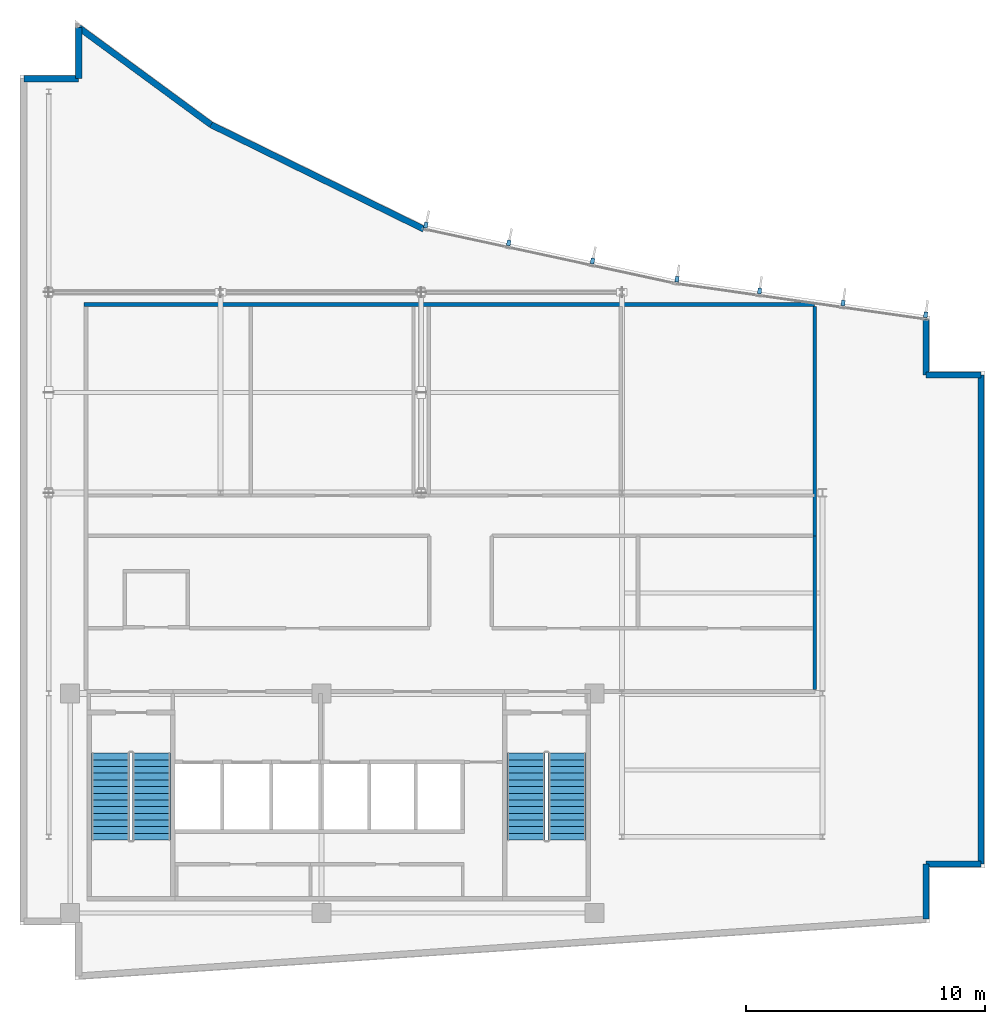
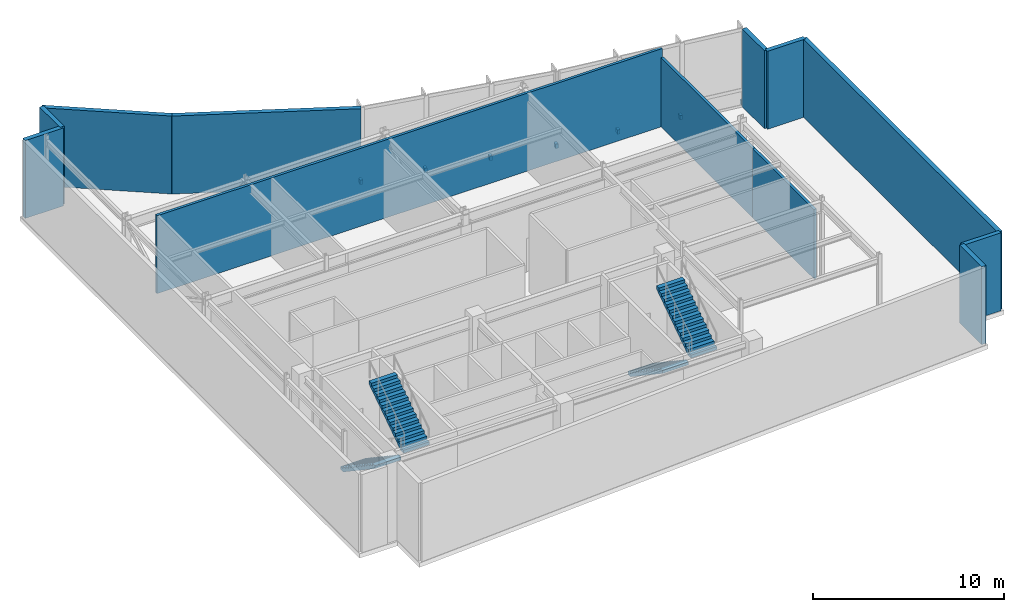
# One storey, part 11 of 14: 12 walls, 7 discrete accessories, 4 stair flights, 2 elements without a shape of their own.
"""IFC4 building model written with IfcOpenShell, lengths in metres."""

from ifc_helpers import new_model, si_unit, direction, frame, frame_2d, origin, origin_2d, place, context, subcontext, project, spatial, polyline, rectangle, outline, extrude, material, layer, layer_set, type_object, element, aggregate, save


model = new_model("IFC4")

# Units and contexts
model_context = context("Model", 3, precision=1e-05, world=origin(), true_north=direction((0.0, 1.0)))
body_context = subcontext(model_context, "Body", "Model", "MODEL_VIEW")
ifc_project = project(units=[si_unit("LENGTHUNIT", "METRE"), si_unit("AREAUNIT", "SQUARE_METRE"), si_unit("VOLUMEUNIT", "CUBIC_METRE"), si_unit("PLANEANGLEUNIT", "RADIAN"), si_unit("MASSUNIT", "GRAM", prefix="KILO")], contexts=[model_context])

# Site, building, storey
site_placement = place(None, origin())
site = spatial("IfcSite", under=ifc_project, at=site_placement, CompositionType="ELEMENT")
building_placement = place(site_placement, origin())
building = spatial("IfcBuilding", under=site, at=building_placement, Name="Varnakote Quay Hospital", CompositionType="ELEMENT")
storey_placement = place(building_placement, frame((0.0, 0.0, 303.949951171875)))
storey = spatial("IfcBuildingStorey", under=building, at=storey_placement, Name="L75", CompositionType="ELEMENT", Elevation=303.949951171875)

# Walls
ifc_material_1 = material(Name="Fire-rated acoustic gypsum stud wall", Category="gypsum")
ifc_layer_1 = layer(ifc_material_1, 0.159912109375)
ifc_layer_set_1 = layer_set([ifc_layer_1], Name="Fire-rated acoustic gypsum stud wall")
wall_type_1 = type_object("IfcWallType", Name="WL-COMP-160", PredefinedType="PARTITIONING", material=ifc_layer_set_1)
wall_1_placement = place(storey_placement, frame((2.68994140625, 28.280029296875, 0.0), z_axis=(0.0, 0.0, 1.0), x_axis=(1.0, 0.0, 0.0)))
element("IfcWall", 1, at=wall_1_placement, inside=storey, type_object=wall_type_1, Name="L75 Plant Block North Enclosure Wall", PredefinedType="PARTITIONING", context=body_context, shape_type="SweptSolid", body=[
    extrude(rectangle(XDim=30.590087890625, YDim=0.159912109375, at=frame_2d((15.294921875, 0.0))), origin(), (0.0, 0.0, 1.0), 4.989990234375),
])
wall_2_placement = place(storey_placement, frame((33.280029296875, 18.60009765625, 0.0), z_axis=(0.0, 0.0, 1.0), x_axis=(0.0, 1.0, 0.0)))
element("IfcWall", 2, at=wall_2_placement, inside=storey, type_object=wall_type_1, Name="L75 Plant Block East Enclosure Wall", PredefinedType="PARTITIONING", context=body_context, shape_type="SweptSolid", body=[
    extrude(rectangle(XDim=9.599853515625, YDim=0.159912109375, at=frame_2d((4.7998046875, 0.0))), origin(), (0.0, 0.0, 1.0), 4.43701171875),
])
wall_3_placement = place(storey_placement, frame((33.280029296875, 12.159912109375, 0.0), z_axis=(0.0, 0.0, 1.0), x_axis=(0.0, 1.0, 0.0)))
element("IfcWall", 3, at=wall_3_placement, inside=storey, type_object=wall_type_1, Name="L75 Refuge & Plant East End Wall", PredefinedType="PARTITIONING", context=body_context, shape_type="SweptSolid", body=[
    extrude(rectangle(XDim=6.440185546875, YDim=0.159912109375, at=frame_2d((3.22021484375, 0.0))), origin(), (0.0, 0.0, 1.0), 4.43701171875),
])
ifc_material_2 = material(Name="Precast concrete N50 (f'c 50 MPa)", Category="concrete")
ifc_layer_2 = layer(ifc_material_2, 0.260009765625)
ifc_layer_set_2 = layer_set([ifc_layer_2], Name="Precast concrete N50 (f'c 50 MPa)")
wall_type_2 = type_object("IfcWallType", Name="WL-EXT-BRICK-260", PredefinedType="STANDARD", material=ifc_layer_set_2)
wall_4_placement = place(storey_placement, frame((37.93994140625, 2.549560546875, 0.0), z_axis=(0.0, 0.0, 1.0), x_axis=(0.0, 1.0, 0.0)))
element("IfcWall", 4, at=wall_4_placement, inside=storey, type_object=wall_type_2, Name="L75 Brick-Faced Precast Exterior Wall", PredefinedType="STANDARD", context=body_context, shape_type="SweptSolid", body=[
    extrude(rectangle(XDim=2.310546875, YDim=0.260009765625, at=frame_2d((1.1552734375, 0.0))), origin(), (0.0, 0.0, 1.0), 4.989990234375),
])
wall_5_placement = place(storey_placement, frame((37.93994140625, 4.860107421875, 0.0), z_axis=(0.0, 0.0, 1.0), x_axis=(1.0, 0.0, 0.0)))
element("IfcWall", 5, at=wall_5_placement, inside=storey, type_object=wall_type_2, Name="L75 Brick-Faced Precast Exterior Wall", PredefinedType="STANDARD", context=body_context, shape_type="SweptSolid", body=[
    extrude(rectangle(XDim=2.300048828125, YDim=0.260009765625, at=frame_2d((1.14990234375, 0.0))), origin(), (0.0, 0.0, 1.0), 4.989990234375),
])
wall_6_placement = place(storey_placement, frame((40.239990234375, 4.860107421875, 0.0), z_axis=(0.0, 0.0, 1.0), x_axis=(0.0, 1.0, 0.0)))
element("IfcWall", 6, at=wall_6_placement, inside=storey, type_object=wall_type_2, Name="L75 Brick-Faced Precast Exterior Wall", PredefinedType="STANDARD", context=body_context, shape_type="SweptSolid", body=[
    extrude(rectangle(XDim=20.47998046875, YDim=0.260009765625, at=frame_2d((10.239990234375, 0.0))), origin(), (0.0, 0.0, 1.0), 4.989990234375),
])
wall_7_placement = place(storey_placement, frame((40.239990234375, 25.340087890625, 0.0), z_axis=(0.0, 0.0, 1.0), x_axis=(-1.0, 0.0, 0.0)))
element("IfcWall", 7, at=wall_7_placement, inside=storey, type_object=wall_type_2, Name="L75 Brick-Faced Precast Exterior Wall", PredefinedType="STANDARD", context=body_context, shape_type="SweptSolid", body=[
    extrude(rectangle(XDim=2.300048828125, YDim=0.260009765625, at=frame_2d((1.14990234375, 0.0))), origin(), (0.0, 0.0, 1.0), 4.989990234375),
])
wall_8_placement = place(storey_placement, frame((37.93994140625, 25.340087890625, 0.0), z_axis=(0.0, 0.0, 1.0), x_axis=(0.0, 1.0, 0.0)))
element("IfcWall", 8, at=wall_8_placement, inside=storey, type_object=wall_type_2, Name="L75 Brick-Faced Precast Exterior Wall", PredefinedType="STANDARD", context=body_context, shape_type="SweptSolid", body=[
    extrude(rectangle(XDim=2.3212890625, YDim=0.260009765625, at=frame_2d((1.16064453125, 0.0))), origin(), (0.0, 0.0, 1.0), 4.989990234375),
])
wall_9_placement = place(storey_placement, frame((16.9150390625, 31.439697265625, 0.0), z_axis=(0.0, 0.0, 1.0), x_axis=(-0.897793077248, 0.440417518322, 0.0)))
element("IfcWall", 9, at=wall_9_placement, inside=storey, type_object=wall_type_2, Name="L75 Brick-Faced Precast Exterior Wall", PredefinedType="STANDARD", context=body_context, shape_type="SweptSolid", body=[
    extrude(rectangle(XDim=9.933837890625, YDim=0.260009765625, at=frame_2d((4.966796875, 0.0))), origin(), (0.0, 0.0, 1.0), 4.989990234375),
])
wall_10_placement = place(storey_placement, frame((7.99658203125, 35.814697265625, 0.0), z_axis=(0.0, 0.0, 1.0), x_axis=(-0.805786654178, 0.592205933733, 0.0)))
element("IfcWall", 10, at=wall_10_placement, inside=storey, type_object=wall_type_2, Name="L75 Brick-Faced Precast Exterior Wall", PredefinedType="STANDARD", context=body_context, shape_type="SweptSolid", body=[
    extrude(rectangle(XDim=6.87109375, YDim=0.260009765625, at=frame_2d((3.435546875, 0.0))), origin(), (0.0, 0.0, 1.0), 4.989990234375),
])
wall_11_placement = place(storey_placement, frame((2.4599609375, 39.8837890625, 0.0), z_axis=(0.0, 0.0, 1.0), x_axis=(0.0, -1.0, 0.0)))
element("IfcWall", 11, at=wall_11_placement, inside=storey, type_object=wall_type_2, Name="L75 Brick-Faced Precast Exterior Wall", PredefinedType="STANDARD", context=body_context, shape_type="SweptSolid", body=[
    extrude(rectangle(XDim=2.143798828125, YDim=0.260009765625, at=frame_2d((1.07177734375, 0.0))), origin(), (0.0, 0.0, 1.0), 4.989990234375),
])
wall_12_placement = place(storey_placement, frame((2.4599609375, 37.739990234375, 0.0), z_axis=(0.0, 0.0, 1.0), x_axis=(-1.0, 0.0, 0.0)))
element("IfcWall", 12, at=wall_12_placement, inside=storey, type_object=wall_type_2, Name="L75 Brick-Faced Precast Exterior Wall", PredefinedType="STANDARD", context=body_context, shape_type="SweptSolid", body=[
    extrude(rectangle(XDim=2.300048828125, YDim=0.260009765625, at=frame_2d((1.14990234375, 0.0))), origin(), (0.0, 0.0, 1.0), 4.989990234375),
])

# Stair, stair flights
ifc_material_3 = material(Name="Concrete N40 (f'c 40 MPa)", Category="concrete")
stair_type = type_object("IfcStairType", Name="STR-CORE-1580", PredefinedType="HALF_TURN_STAIR", material=ifc_material_3)
stair_1_placement = place(storey_placement, origin())
stair_1 = element("IfcStair", 13, at=stair_1_placement, inside=storey, type_object=stair_type, Name="L75 Fire-Isolated Exit Stair ST-01", PredefinedType="HALF_TURN_STAIR")
ifc_material_4 = material(Name="Concrete N40 (f'c 40 MPa)", Category="concrete")
ifc_layer_3 = layer(ifc_material_4, 0.159912109375)
ifc_layer_set_3 = layer_set([ifc_layer_3], Name="Concrete N40 (f'c 40 MPa)")
stair_flight_type = type_object("IfcStairFlightType", Name="FLT-CORE-1580", PredefinedType="STRAIGHT", material=ifc_layer_set_3)
stair_flight_1_placement = place(storey_placement, frame((3.7900390625, 9.5, 0.0), z_axis=(0.0, 0.0, 1.0), x_axis=(0.0, -1.0, 0.0)))
stair_flight_1 = element("IfcStairFlight", 14, at=stair_flight_1_placement, type_object=stair_flight_type, Name="ST-01 flight 1", NumberOfRisers=14, NumberOfTreads=13, PredefinedType="STRAIGHT", RiserHeight=0.1875, TreadLength=0.28, context=body_context, shape_type="SweptSolid", body=[
    extrude(outline(polyline([(0.0, 0.0), (0.0, 0.1875), (0.280029296875, 0.1875), (0.280029296875, 0.375), (0.56005859375, 0.375), (0.56005859375, 0.5625), (0.840087890625, 0.5625), (0.840087890625, 0.75), (1.1201171875, 0.75), (1.1201171875, 0.9375), (1.39990234375, 0.9375), (1.39990234375, 1.125), (1.679931640625, 1.125), (1.679931640625, 1.3125), (1.9599609375, 1.3125), (1.9599609375, 1.5), (2.239990234375, 1.5), (2.239990234375, 1.6875), (2.52001953125, 1.6875), (2.52001953125, 1.875), (2.800048828125, 1.875), (2.800048828125, 2.0625), (3.080078125, 2.0625), (3.080078125, 2.25), (3.360107421875, 2.25), (3.360107421875, 2.4375), (3.639892578125, 2.4375), (3.639892578125, 2.625), (3.639892578125, 2.2451171875), (0.287353515625, 0.0), (0.0, 0.0)])), frame((0.0, 0.7900390625, 0.0), z_axis=(0.0, -1.0, 0.0), x_axis=(1.0, 0.0, 0.0)), (0.0, 0.0, 1.0), 1.580078125),
])
stair_flight_2_placement = place(storey_placement, frame((5.510009765625, 5.860107421875, 2.625), z_axis=(0.0, 0.0, 1.0), x_axis=(0.0, 1.0, 0.0)))
stair_flight_2 = element("IfcStairFlight", 15, at=stair_flight_2_placement, type_object=stair_flight_type, Name="ST-01 flight 2", NumberOfRisers=14, NumberOfTreads=13, PredefinedType="STRAIGHT", RiserHeight=0.1875, TreadLength=0.28, context=body_context, shape_type="SweptSolid", body=[
    extrude(outline(polyline([(0.0, 0.0), (0.0, 0.1875), (0.280029296875, 0.1875), (0.280029296875, 0.375), (0.56005859375, 0.375), (0.56005859375, 0.5625), (0.840087890625, 0.5625), (0.840087890625, 0.75), (1.1201171875, 0.75), (1.1201171875, 0.9375), (1.39990234375, 0.9375), (1.39990234375, 1.125), (1.679931640625, 1.125), (1.679931640625, 1.3125), (1.9599609375, 1.3125), (1.9599609375, 1.5), (2.239990234375, 1.5), (2.239990234375, 1.6875), (2.52001953125, 1.6875), (2.52001953125, 1.875), (2.800048828125, 1.875), (2.800048828125, 2.0625), (3.080078125, 2.0625), (3.080078125, 2.25), (3.360107421875, 2.25), (3.360107421875, 2.4375), (3.639892578125, 2.4375), (3.639892578125, 2.625), (3.639892578125, 2.2451171875), (0.287353515625, 0.0), (0.0, 0.0)])), frame((0.0, 0.7900390625, 0.0), z_axis=(0.0, -1.0, 0.0), x_axis=(1.0, 0.0, 0.0)), (0.0, 0.0, 1.0), 1.580078125),
])
aggregate(stair_1, [stair_flight_1, stair_flight_2])

stair_2_placement = place(storey_placement, origin())
stair_2 = element("IfcStair", 16, at=stair_2_placement, inside=storey, type_object=stair_type, Name="L75 Fire-Isolated Exit Stair ST-02", PredefinedType="HALF_TURN_STAIR")
stair_flight_3_placement = place(storey_placement, frame((21.18994140625, 9.5, 0.0), z_axis=(0.0, 0.0, 1.0), x_axis=(0.0, -1.0, 0.0)))
stair_flight_3 = element("IfcStairFlight", 17, at=stair_flight_3_placement, type_object=stair_flight_type, Name="ST-02 flight 1", NumberOfRisers=14, NumberOfTreads=13, PredefinedType="STRAIGHT", RiserHeight=0.1875, TreadLength=0.28, context=body_context, shape_type="SweptSolid", body=[
    extrude(outline(polyline([(0.0, 0.0), (0.0, 0.1875), (0.280029296875, 0.1875), (0.280029296875, 0.375), (0.56005859375, 0.375), (0.56005859375, 0.5625), (0.840087890625, 0.5625), (0.840087890625, 0.75), (1.1201171875, 0.75), (1.1201171875, 0.9375), (1.39990234375, 0.9375), (1.39990234375, 1.125), (1.679931640625, 1.125), (1.679931640625, 1.3125), (1.9599609375, 1.3125), (1.9599609375, 1.5), (2.239990234375, 1.5), (2.239990234375, 1.6875), (2.52001953125, 1.6875), (2.52001953125, 1.875), (2.800048828125, 1.875), (2.800048828125, 2.0625), (3.080078125, 2.0625), (3.080078125, 2.25), (3.360107421875, 2.25), (3.360107421875, 2.4375), (3.639892578125, 2.4375), (3.639892578125, 2.625), (3.639892578125, 2.2451171875), (0.287353515625, 0.0), (0.0, 0.0)])), frame((0.0, 0.7900390625, 0.0), z_axis=(0.0, -1.0, 0.0), x_axis=(1.0, 0.0, 0.0)), (0.0, 0.0, 1.0), 1.580078125),
])
stair_flight_4_placement = place(storey_placement, frame((22.909912109375, 5.860107421875, 2.625), z_axis=(0.0, 0.0, 1.0), x_axis=(0.0, 1.0, 0.0)))
stair_flight_4 = element("IfcStairFlight", 18, at=stair_flight_4_placement, type_object=stair_flight_type, Name="ST-02 flight 2", NumberOfRisers=14, NumberOfTreads=13, PredefinedType="STRAIGHT", RiserHeight=0.1875, TreadLength=0.28, context=body_context, shape_type="SweptSolid", body=[
    extrude(outline(polyline([(0.0, 0.0), (0.0, 0.1875), (0.280029296875, 0.1875), (0.280029296875, 0.375), (0.56005859375, 0.375), (0.56005859375, 0.5625), (0.840087890625, 0.5625), (0.840087890625, 0.75), (1.1201171875, 0.75), (1.1201171875, 0.9375), (1.39990234375, 0.9375), (1.39990234375, 1.125), (1.679931640625, 1.125), (1.679931640625, 1.3125), (1.9599609375, 1.3125), (1.9599609375, 1.5), (2.239990234375, 1.5), (2.239990234375, 1.6875), (2.52001953125, 1.6875), (2.52001953125, 1.875), (2.800048828125, 1.875), (2.800048828125, 2.0625), (3.080078125, 2.0625), (3.080078125, 2.25), (3.360107421875, 2.25), (3.360107421875, 2.4375), (3.639892578125, 2.4375), (3.639892578125, 2.625), (3.639892578125, 2.2451171875), (0.287353515625, 0.0), (0.0, 0.0)])), frame((0.0, 0.7900390625, 0.0), z_axis=(0.0, -1.0, 0.0), x_axis=(1.0, 0.0, 0.0)), (0.0, 0.0, 1.0), 1.580078125),
])
aggregate(stair_2, [stair_flight_3, stair_flight_4])

# Discrete accessories
ifc_material_5 = material(Name="Anodised aluminium 6063-T6 Bronze", Category="aluminium")
discrete_accessory_type = type_object("IfcDiscreteAccessoryType", Name="ACC-FIN-BRACKET-180", PredefinedType="BRACKET", material=ifc_material_5)
for number, where, z_axis, x_axis, name in (
    (19, (37.9248046875, 27.85546875, 0.0), (0.0, 0.0, 1.0), (-0.989925048845, 0.141592364445, 0.0), "L75 Curtain Wall Fin Fixing Bracket"),
    (20, (34.468017578125, 28.349853515625, 0.0), (0.0, 0.0, 1.0), (-0.989925048845, 0.141592364445, 0.0), "L75 Curtain Wall Fin Fixing Bracket"),
    (21, (30.969482421875, 28.85009765625, 0.0), (0.0, 0.0, 1.0), (-0.989925048845, 0.141592364445, 0.0), "L75 Curtain Wall Fin Fixing Bracket"),
    (22, (27.5126953125, 29.344482421875, 0.0), (0.0, 0.0, 1.0), (-0.989925048845, 0.141592364445, 0.0), "L75 Curtain Wall Fin Fixing Bracket"),
    (23, (23.974365234375, 30.107177734375, 0.0), (0.0, 0.0, 1.0), (-0.977415894286, 0.211324796455, 0.0), "L75 Curtain Wall Fin Fixing Bracket"),
    (24, (20.46484375, 30.8662109375, 0.0), (0.0, 0.0, 1.0), (-0.977415894286, 0.211324796455, 0.0), "L75 Curtain Wall Fin Fixing Bracket"),
    (25, (16.996826171875, 31.616455078125, 0.0), (0.0, 0.0, 1.0), (-0.977415894286, 0.211324796455, 0.0), "L75 Curtain Wall Fin Fixing Bracket"),
):
    element("IfcDiscreteAccessory", number, at=place(storey_placement, frame(where, z_axis=z_axis, x_axis=x_axis)), inside=storey, type_object=discrete_accessory_type, Name=name, PredefinedType="BRACKET", context=body_context, shape_type="SweptSolid", body=[
        extrude(rectangle(XDim=0.159912109375, YDim=0.239990234375, at=origin_2d()), origin(), (0.0, 0.0, 1.0), 0.280029296875),
    ])

save(model, "model.ifc")
